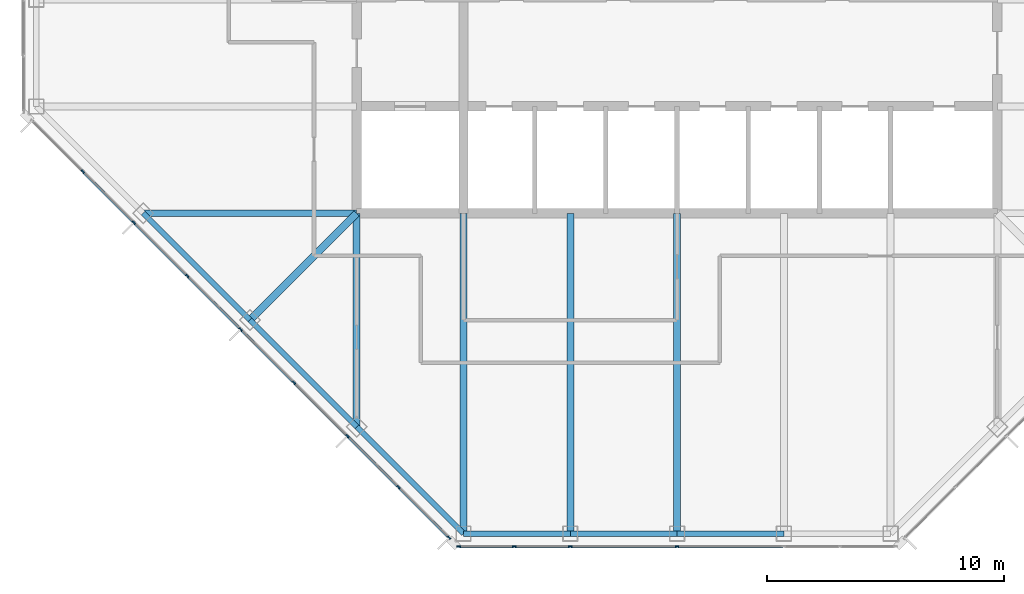
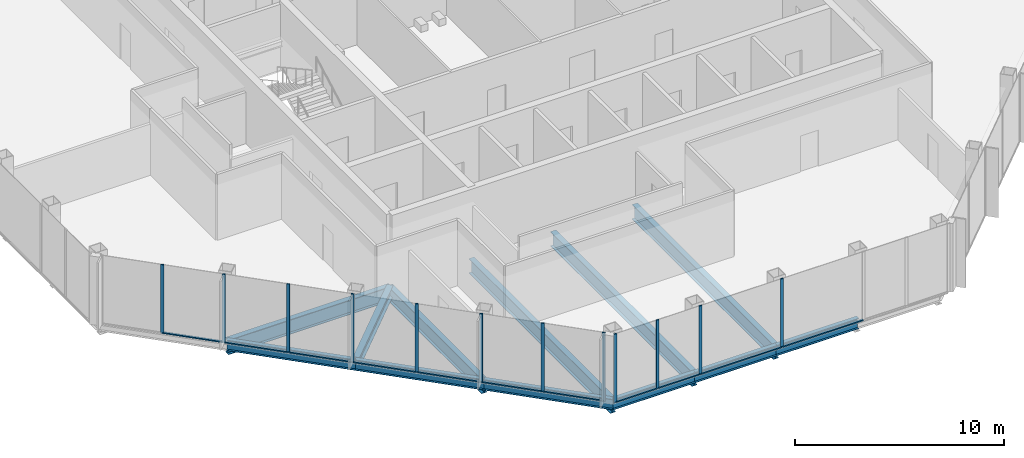
# One storey, part 2 of 13: 23 members, 12 beams, 2 elements without a shape of their own.
"""IFC4 building model written with IfcOpenShell, lengths in metres."""

from ifc_helpers import new_model, si_unit, direction, frame, origin, origin_2d, place, context, subcontext, project, spatial, rectangle, i_section, extrude, material, material_profile, profile_set, type_object, element, aggregate, save


model = new_model("IFC4")

# Units and contexts
model_context = context("Model", 3, precision=1e-05, world=origin(), true_north=direction((0.0, 1.0)))
body_context = subcontext(model_context, "Body", "Model", "MODEL_VIEW")
ifc_project = project(units=[si_unit("LENGTHUNIT", "METRE"), si_unit("AREAUNIT", "SQUARE_METRE"), si_unit("VOLUMEUNIT", "CUBIC_METRE"), si_unit("PLANEANGLEUNIT", "RADIAN"), si_unit("MASSUNIT", "GRAM", prefix="KILO")], contexts=[model_context])

# Site, building, storey
site_placement = place(None, origin())
site = spatial("IfcSite", under=ifc_project, at=site_placement, CompositionType="ELEMENT")
building_placement = place(site_placement, origin())
building = spatial("IfcBuilding", under=site, at=building_placement, Name="Corais Broadcast Tower", CompositionType="ELEMENT")
storey_placement = place(building_placement, frame((0.0, 0.0, 242.60009765625)))
storey = spatial("IfcBuildingStorey", under=building, at=storey_placement, Name="L56", CompositionType="ELEMENT", Elevation=242.60009765625)

# Beams
ifc_material_1 = material(Name="Steel ASTM A572 Grade 50", Category="steel")
ifc_material_profile_1 = material_profile(ifc_material_1, i_section(OverallWidth=0.323974609375, OverallDepth=0.611083984375, WebThickness=0.0126953125, FlangeThickness=0.01904296875, at=origin_2d()), Name="W610x155")
ifc_profile_set_1 = profile_set([ifc_material_profile_1], Name="Steel ASTM A572 Grade 50")
beam_type_1 = type_object("IfcBeamType", Name="Corner diagonal W610x155", PredefinedType="BEAM", material=ifc_profile_set_1)
beam_1_placement = place(storey_placement, frame((9.0, 9.0, -0.465576171875), z_axis=(0.707106781187, 0.707106781187, 0.0), x_axis=(-0.707106781187, 0.707106781187, 0.0)))
element("IfcBeam", 1, at=beam_1_placement, inside=storey, type_object=beam_type_1, Name="B6 C/5 to D/6", PredefinedType="BEAM", context=body_context, shape_type="SweptSolid", body=[
    extrude(i_section(OverallWidth=0.323974609375, OverallDepth=0.611083984375, WebThickness=0.0126953125, FlangeThickness=0.01904296875, at=origin_2d()), origin(), (0.0, 0.0, 1.0), 6.364013671875),
])
ifc_material_2 = material(Name="Steel ASTM A572 Grade 50", Category="steel")
ifc_material_profile_2 = material_profile(ifc_material_2, i_section(OverallWidth=0.2939453125, OverallDepth=0.85107421875, WebThickness=0.01611328125, FlangeThickness=0.02685546875, at=origin_2d()), Name="W840x226")
ifc_profile_set_2 = profile_set([ifc_material_profile_2], Name="Steel ASTM A572 Grade 50")
beam_type_2 = type_object("IfcBeamType", Name="Floor beam W840x226", PredefinedType="BEAM", material=ifc_profile_set_2)
beam_2_placement = place(storey_placement, frame((13.5, 4.5, -0.585693359375), z_axis=(0.0, 1.0, 0.0), x_axis=(-1.0, 0.0, 0.0)))
element("IfcBeam", 2, at=beam_2_placement, inside=storey, type_object=beam_type_2, Name="B1 B/6 to D/6", PredefinedType="BEAM", context=body_context, shape_type="SweptSolid", body=[
    extrude(i_section(OverallWidth=0.2939453125, OverallDepth=0.85107421875, WebThickness=0.01611328125, FlangeThickness=0.02685546875, at=origin_2d()), origin(), (0.0, 0.0, 1.0), 9.0),
])
for number, where, z_axis, x_axis, name in (
    (3, (18.0, 0.0, -0.585693359375), (0.0, 1.0, 0.0), (-1.0, 0.0, 0.0), "B1 A/7 to D/7"),
    (4, (22.5, 0.0, -0.585693359375), (0.0, 1.0, 0.0), (-1.0, 0.0, 0.0), "B1 A/8 to D/8"),
    (5, (27.0, 0.0, -0.585693359375), (0.0, 1.0, 0.0), (-1.0, 0.0, 0.0), "B1 A/9 to D/9"),
):
    element("IfcBeam", number, at=place(storey_placement, frame(where, z_axis=z_axis, x_axis=x_axis)), inside=storey, type_object=beam_type_2, Name=name, PredefinedType="BEAM", context=body_context, shape_type="SweptSolid", body=[
        extrude(i_section(OverallWidth=0.2939453125, OverallDepth=0.85107421875, WebThickness=0.01611328125, FlangeThickness=0.02685546875, at=origin_2d()), origin(), (0.0, 0.0, 1.0), 13.5),
    ])
beam_3_placement = place(storey_placement, frame((4.5, 13.5, -0.585693359375), z_axis=(1.0, 0.0, 0.0), x_axis=(0.0, 1.0, 0.0)))
element("IfcBeam", 6, at=beam_3_placement, inside=storey, type_object=beam_type_2, Name="B1 D/4 to D/6", PredefinedType="BEAM", context=body_context, shape_type="SweptSolid", body=[
    extrude(i_section(OverallWidth=0.2939453125, OverallDepth=0.85107421875, WebThickness=0.01611328125, FlangeThickness=0.02685546875, at=origin_2d()), origin(), (0.0, 0.0, 1.0), 9.0),
])

# Curtain wall, members
ifc_material_3 = material(Name="Aluminium and glass", Category="aluminium")
curtain_wall_type = type_object("IfcCurtainWallType", Name="Unitised fritted curtain wall CW3", PredefinedType="NOTDEFINED", material=ifc_material_3)
curtain_wall_1_placement = place(storey_placement, origin())
curtain_wall_1 = element("IfcCurtainWall", 7, at=curtain_wall_1_placement, inside=storey, type_object=curtain_wall_type, Name="CW3 curtain wall L56 1", PredefinedType="NOTDEFINED")
ifc_material_4 = material(Name="Aluminium 6063-T6", Category="aluminium")
ifc_material_profile_3 = material_profile(ifc_material_4, rectangle(XDim=0.06494140625, YDim=0.159912109375, at=origin_2d()), Name="Mullion CW3 65x160")
ifc_profile_set_3 = profile_set([ifc_material_profile_3], Name="Aluminium 6063-T6")
member_type_1 = type_object("IfcMemberType", Name="Mullion CW3 65x160", PredefinedType="MULLION", material=ifc_profile_set_3)
member_1_placement = place(storey_placement, frame((17.3955078125, -0.17333984375, 0.0), z_axis=(0.0, 0.0, 1.0), x_axis=(-0.707106781187, -0.707106781187, 0.0)))
member_1 = element("IfcMember", 8, at=member_1_placement, type_object=member_type_1, Name="CW3 mullion 1", PredefinedType="MULLION", context=body_context, shape_type="SweptSolid", body=[
    extrude(rectangle(XDim=0.06494140625, YDim=0.159912109375, at=origin_2d()), origin(), (0.0, 0.0, 1.0), 4.0),
])
member_2_placement = place(storey_placement, frame((15.264892578125, 1.957275390625, 0.0), z_axis=(0.0, 0.0, 1.0), x_axis=(-0.707106781187, -0.707106781187, 0.0)))
member_2 = element("IfcMember", 9, at=member_2_placement, type_object=member_type_1, Name="CW3 mullion 2", PredefinedType="MULLION", context=body_context, shape_type="SweptSolid", body=[
    extrude(rectangle(XDim=0.06494140625, YDim=0.159912109375, at=origin_2d()), origin(), (0.0, 0.0, 1.0), 4.0),
])
member_3_placement = place(storey_placement, frame((13.111083984375, 4.111083984375, 0.0), z_axis=(0.0, 0.0, 1.0), x_axis=(-0.707106781187, -0.707106781187, 0.0)))
member_3 = element("IfcMember", 10, at=member_3_placement, type_object=member_type_1, Name="CW3 mullion 3", PredefinedType="MULLION", context=body_context, shape_type="SweptSolid", body=[
    extrude(rectangle(XDim=0.06494140625, YDim=0.159912109375, at=origin_2d()), origin(), (0.0, 0.0, 1.0), 4.0),
])
member_4_placement = place(storey_placement, frame((10.861083984375, 6.361083984375, 0.0), z_axis=(0.0, 0.0, 1.0), x_axis=(-0.707106781187, -0.707106781187, 0.0)))
member_4 = element("IfcMember", 11, at=member_4_placement, type_object=member_type_1, Name="CW3 mullion 4", PredefinedType="MULLION", context=body_context, shape_type="SweptSolid", body=[
    extrude(rectangle(XDim=0.06494140625, YDim=0.159912109375, at=origin_2d()), origin(), (0.0, 0.0, 1.0), 4.0),
])
member_5_placement = place(storey_placement, frame((8.611083984375, 8.611083984375, 0.0), z_axis=(0.0, 0.0, 1.0), x_axis=(-0.707106781187, -0.707106781187, 0.0)))
member_5 = element("IfcMember", 12, at=member_5_placement, type_object=member_type_1, Name="CW3 mullion 5", PredefinedType="MULLION", context=body_context, shape_type="SweptSolid", body=[
    extrude(rectangle(XDim=0.06494140625, YDim=0.159912109375, at=origin_2d()), origin(), (0.0, 0.0, 1.0), 4.0),
])
member_6_placement = place(storey_placement, frame((6.361083984375, 10.861083984375, 0.0), z_axis=(0.0, 0.0, 1.0), x_axis=(-0.707106781187, -0.707106781187, 0.0)))
member_6 = element("IfcMember", 13, at=member_6_placement, type_object=member_type_1, Name="CW3 mullion 6", PredefinedType="MULLION", context=body_context, shape_type="SweptSolid", body=[
    extrude(rectangle(XDim=0.06494140625, YDim=0.159912109375, at=origin_2d()), origin(), (0.0, 0.0, 1.0), 4.0),
])
member_7_placement = place(storey_placement, frame((4.111083984375, 13.111083984375, 0.0), z_axis=(0.0, 0.0, 1.0), x_axis=(-0.707106781187, -0.707106781187, 0.0)))
member_7 = element("IfcMember", 14, at=member_7_placement, type_object=member_type_1, Name="CW3 mullion 7", PredefinedType="MULLION", context=body_context, shape_type="SweptSolid", body=[
    extrude(rectangle(XDim=0.06494140625, YDim=0.159912109375, at=origin_2d()), origin(), (0.0, 0.0, 1.0), 4.0),
])
member_8_placement = place(storey_placement, frame((1.957275390625, 15.264892578125, 0.0), z_axis=(0.0, 0.0, 1.0), x_axis=(-0.707106781187, -0.707106781187, 0.0)))
member_8 = element("IfcMember", 15, at=member_8_placement, type_object=member_type_1, Name="CW3 mullion 8", PredefinedType="MULLION", context=body_context, shape_type="SweptSolid", body=[
    extrude(rectangle(XDim=0.06494140625, YDim=0.159912109375, at=origin_2d()), origin(), (0.0, 0.0, 1.0), 4.0),
])

curtain_wall_2_placement = place(storey_placement, origin())
curtain_wall_2 = element("IfcCurtainWall", 16, at=curtain_wall_2_placement, inside=storey, type_object=curtain_wall_type, Name="CW3 curtain wall L56 8", PredefinedType="NOTDEFINED")
member_9_placement = place(storey_placement, frame((27.0, -0.550048828125, 0.0), z_axis=(0.0, 0.0, 1.0), x_axis=(0.0, -1.0, 0.0)))
member_9 = element("IfcMember", 17, at=member_9_placement, type_object=member_type_1, Name="CW3 mullion 4", PredefinedType="MULLION", context=body_context, shape_type="SweptSolid", body=[
    extrude(rectangle(XDim=0.06494140625, YDim=0.159912109375, at=origin_2d()), origin(), (0.0, 0.0, 1.0), 4.0),
])
member_10_placement = place(storey_placement, frame((22.5, -0.550048828125, 0.0), z_axis=(0.0, 0.0, 1.0), x_axis=(0.0, -1.0, 0.0)))
member_10 = element("IfcMember", 18, at=member_10_placement, type_object=member_type_1, Name="CW3 mullion 5", PredefinedType="MULLION", context=body_context, shape_type="SweptSolid", body=[
    extrude(rectangle(XDim=0.06494140625, YDim=0.159912109375, at=origin_2d()), origin(), (0.0, 0.0, 1.0), 4.0),
])
member_11_placement = place(storey_placement, frame((20.135986328125, -0.550048828125, 0.0), z_axis=(0.0, 0.0, 1.0), x_axis=(0.0, -1.0, 0.0)))
member_11 = element("IfcMember", 19, at=member_11_placement, type_object=member_type_1, Name="CW3 mullion 6", PredefinedType="MULLION", context=body_context, shape_type="SweptSolid", body=[
    extrude(rectangle(XDim=0.06494140625, YDim=0.159912109375, at=origin_2d()), origin(), (0.0, 0.0, 1.0), 4.0),
])
member_12_placement = place(storey_placement, frame((17.8046875, -0.550048828125, 0.0), z_axis=(0.0, 0.0, 1.0), x_axis=(0.0, -1.0, 0.0)))
member_12 = element("IfcMember", 20, at=member_12_placement, type_object=member_type_1, Name="CW3 mullion 7", PredefinedType="MULLION", context=body_context, shape_type="SweptSolid", body=[
    extrude(rectangle(XDim=0.06494140625, YDim=0.159912109375, at=origin_2d()), origin(), (0.0, 0.0, 1.0), 4.0),
])

# Beams
ifc_material_5 = material(Name="Steel ASTM A572 Grade 50", Category="steel")
ifc_material_profile_4 = material_profile(ifc_material_5, i_section(OverallWidth=0.22998046875, OverallDepth=0.616943359375, WebThickness=0.01318359375, FlangeThickness=0.022216796875, at=origin_2d()), Name="W610x140")
ifc_profile_set_4 = profile_set([ifc_material_profile_4], Name="Steel ASTM A572 Grade 50")
beam_type_3 = type_object("IfcBeamType", Name="Spandrel W610x140", PredefinedType="BEAM", material=ifc_profile_set_4)
beam_4_placement = place(storey_placement, frame((13.5, 4.5, -0.468505859375), z_axis=(0.707106781187, -0.707106781187, 0.0), x_axis=(0.707106781187, 0.707106781187, 0.0)))
element("IfcBeam", 21, at=beam_4_placement, inside=storey, type_object=beam_type_3, Name="SB3 B/6 to A/7", PredefinedType="BEAM", context=body_context, shape_type="SweptSolid", body=[
    extrude(i_section(OverallWidth=0.22998046875, OverallDepth=0.616943359375, WebThickness=0.01318359375, FlangeThickness=0.022216796875, at=origin_2d()), origin(), (0.0, 0.0, 1.0), 6.364013671875),
])
for number, where, z_axis, x_axis, name in (
    (22, (18.0, 0.0, -0.468505859375), (1.0, 0.0, 0.0), (0.0, 1.0, 0.0), "SB3 A/7 to A/8"),
    (23, (22.5, 0.0, -0.468505859375), (1.0, 0.0, 0.0), (0.0, 1.0, 0.0), "SB3 A/8 to A/9"),
    (24, (27.0, 0.0, -0.468505859375), (1.0, 0.0, 0.0), (0.0, 1.0, 0.0), "SB3 A/9 to A/10"),
):
    element("IfcBeam", number, at=place(storey_placement, frame(where, z_axis=z_axis, x_axis=x_axis)), inside=storey, type_object=beam_type_3, Name=name, PredefinedType="BEAM", context=body_context, shape_type="SweptSolid", body=[
        extrude(i_section(OverallWidth=0.22998046875, OverallDepth=0.616943359375, WebThickness=0.01318359375, FlangeThickness=0.022216796875, at=origin_2d()), origin(), (0.0, 0.0, 1.0), 4.5),
    ])
for number, where, z_axis, x_axis, name in (
    (25, (4.5, 13.5, -0.468505859375), (0.707106781187, -0.707106781187, 0.0), (0.707106781187, 0.707106781187, 0.0), "SB3 D/4 to C/5"),
    (26, (9.0, 9.0, -0.468505859375), (0.707106781187, -0.707106781187, 0.0), (0.707106781187, 0.707106781187, 0.0), "SB3 C/5 to B/6"),
):
    element("IfcBeam", number, at=place(storey_placement, frame(where, z_axis=z_axis, x_axis=x_axis)), inside=storey, type_object=beam_type_3, Name=name, PredefinedType="BEAM", context=body_context, shape_type="SweptSolid", body=[
        extrude(i_section(OverallWidth=0.22998046875, OverallDepth=0.616943359375, WebThickness=0.01318359375, FlangeThickness=0.022216796875, at=origin_2d()), origin(), (0.0, 0.0, 1.0), 6.364013671875),
    ])

# Member
ifc_material_6 = material(Name="Aluminium 6063-T6", Category="aluminium")
ifc_material_profile_5 = material_profile(ifc_material_6, rectangle(XDim=0.1201171875, YDim=0.06494140625, at=origin_2d()), Name="Transom CW3 65x120")
ifc_profile_set_5 = profile_set([ifc_material_profile_5], Name="Aluminium 6063-T6")
member_type_2 = type_object("IfcMemberType", Name="Transom CW3 65x120", PredefinedType="USERDEFINED", material=ifc_profile_set_5)
member_13_placement = place(storey_placement, frame((17.37255859375, -0.150390625, 0.032470703125), z_axis=(-0.707106781187, 0.707106781187, 0.0), x_axis=(-0.707106781187, -0.707106781187, 0.0)))
member_13 = element("IfcMember", 27, at=member_13_placement, type_object=member_type_2, Name="CW3 transom 1.1", ObjectType="TRANSOM", PredefinedType="USERDEFINED", context=body_context, shape_type="SweptSolid", body=[
    extrude(rectangle(XDim=0.1201171875, YDim=0.06494140625, at=origin_2d()), origin(), (0.0, 0.0, 1.0), 2.9482421875),
])

member_14_placement = place(storey_placement, frame((15.241943359375, 1.980224609375, 0.032470703125), z_axis=(-0.707106781187, 0.707106781187, 0.0), x_axis=(-0.707106781187, -0.707106781187, 0.0)))
member_14 = element("IfcMember", 28, at=member_14_placement, type_object=member_type_2, Name="CW3 transom 2.1", ObjectType="TRANSOM", PredefinedType="USERDEFINED", context=body_context, shape_type="SweptSolid", body=[
    extrude(rectangle(XDim=0.1201171875, YDim=0.06494140625, at=origin_2d()), origin(), (0.0, 0.0, 1.0), 2.98095703125),
])

member_15_placement = place(storey_placement, frame((13.088134765625, 4.134033203125, 0.032470703125), z_axis=(-0.707106781187, 0.707106781187, 0.0), x_axis=(-0.707106781187, -0.707106781187, 0.0)))
member_15 = element("IfcMember", 29, at=member_15_placement, type_object=member_type_2, Name="CW3 transom 3.1", ObjectType="TRANSOM", PredefinedType="USERDEFINED", context=body_context, shape_type="SweptSolid", body=[
    extrude(rectangle(XDim=0.1201171875, YDim=0.06494140625, at=origin_2d()), origin(), (0.0, 0.0, 1.0), 3.1171875),
])

member_16_placement = place(storey_placement, frame((10.838134765625, 6.384033203125, 0.032470703125), z_axis=(-0.707106781187, 0.707106781187, 0.0), x_axis=(-0.707106781187, -0.707106781187, 0.0)))
member_16 = element("IfcMember", 30, at=member_16_placement, type_object=member_type_2, Name="CW3 transom 4.1", ObjectType="TRANSOM", PredefinedType="USERDEFINED", context=body_context, shape_type="SweptSolid", body=[
    extrude(rectangle(XDim=0.1201171875, YDim=0.06494140625, at=origin_2d()), origin(), (0.0, 0.0, 1.0), 3.1171875),
])

member_17_placement = place(storey_placement, frame((8.588134765625, 8.634033203125, 0.032470703125), z_axis=(-0.707106781187, 0.707106781187, 0.0), x_axis=(-0.707106781187, -0.707106781187, 0.0)))
member_17 = element("IfcMember", 31, at=member_17_placement, type_object=member_type_2, Name="CW3 transom 5.1", ObjectType="TRANSOM", PredefinedType="USERDEFINED", context=body_context, shape_type="SweptSolid", body=[
    extrude(rectangle(XDim=0.1201171875, YDim=0.06494140625, at=origin_2d()), origin(), (0.0, 0.0, 1.0), 3.1171875),
])

member_18_placement = place(storey_placement, frame((6.338134765625, 10.884033203125, 0.032470703125), z_axis=(-0.707106781187, 0.707106781187, 0.0), x_axis=(-0.707106781187, -0.707106781187, 0.0)))
member_18 = element("IfcMember", 32, at=member_18_placement, type_object=member_type_2, Name="CW3 transom 6.1", ObjectType="TRANSOM", PredefinedType="USERDEFINED", context=body_context, shape_type="SweptSolid", body=[
    extrude(rectangle(XDim=0.1201171875, YDim=0.06494140625, at=origin_2d()), origin(), (0.0, 0.0, 1.0), 3.1171875),
])

member_19_placement = place(storey_placement, frame((4.088134765625, 13.134033203125, 0.032470703125), z_axis=(-0.707065828661, 0.70714773134, 0.0), x_axis=(-0.70714773134, -0.707065828661, 0.0)))
member_19 = element("IfcMember", 33, at=member_19_placement, type_object=member_type_2, Name="CW3 transom 7.1", ObjectType="TRANSOM", PredefinedType="USERDEFINED", context=body_context, shape_type="SweptSolid", body=[
    extrude(rectangle(XDim=0.1201171875, YDim=0.06494140625, at=origin_2d()), origin(), (0.0, 0.0, 1.0), 2.98095703125),
])

aggregate(curtain_wall_1, [member_1, member_2, member_3, member_4, member_5, member_6, member_7, member_8, member_13, member_14, member_15, member_16, member_17, member_18, member_19])

member_20_placement = place(storey_placement, frame((31.467529296875, -0.550048828125, 0.032470703125), z_axis=(-1.0, 0.0, 0.0), x_axis=(0.0, -1.0, 0.0)))
member_20 = element("IfcMember", 34, at=member_20_placement, type_object=member_type_2, Name="CW3 transom 3.1", ObjectType="TRANSOM", PredefinedType="USERDEFINED", context=body_context, shape_type="SweptSolid", body=[
    extrude(rectangle(XDim=0.1201171875, YDim=0.06494140625, at=origin_2d()), origin(), (0.0, 0.0, 1.0), 4.43505859375),
])

member_21_placement = place(storey_placement, frame((26.967529296875, -0.550048828125, 0.032470703125), z_axis=(-1.0, 0.0, 0.0), x_axis=(0.0, -1.0, 0.0)))
member_21 = element("IfcMember", 35, at=member_21_placement, type_object=member_type_2, Name="CW3 transom 4.1", ObjectType="TRANSOM", PredefinedType="USERDEFINED", context=body_context, shape_type="SweptSolid", body=[
    extrude(rectangle(XDim=0.1201171875, YDim=0.06494140625, at=origin_2d()), origin(), (0.0, 0.0, 1.0), 4.43505859375),
])

member_22_placement = place(storey_placement, frame((22.467529296875, -0.550048828125, 0.032470703125), z_axis=(-1.0, 0.0, 0.0), x_axis=(0.0, -1.0, 0.0)))
member_22 = element("IfcMember", 36, at=member_22_placement, type_object=member_type_2, Name="CW3 transom 5.1", ObjectType="TRANSOM", PredefinedType="USERDEFINED", context=body_context, shape_type="SweptSolid", body=[
    extrude(rectangle(XDim=0.1201171875, YDim=0.06494140625, at=origin_2d()), origin(), (0.0, 0.0, 1.0), 2.298828125),
])

member_23_placement = place(storey_placement, frame((20.103515625, -0.550048828125, 0.032470703125), z_axis=(-1.0, 0.0, 0.0), x_axis=(0.0, -1.0, 0.0)))
member_23 = element("IfcMember", 37, at=member_23_placement, type_object=member_type_2, Name="CW3 transom 6.1", ObjectType="TRANSOM", PredefinedType="USERDEFINED", context=body_context, shape_type="SweptSolid", body=[
    extrude(rectangle(XDim=0.1201171875, YDim=0.06494140625, at=origin_2d()), origin(), (0.0, 0.0, 1.0), 2.266357421875),
])

aggregate(curtain_wall_2, [member_9, member_10, member_11, member_12, member_20, member_21, member_22, member_23])

save(model, "model.ifc")
